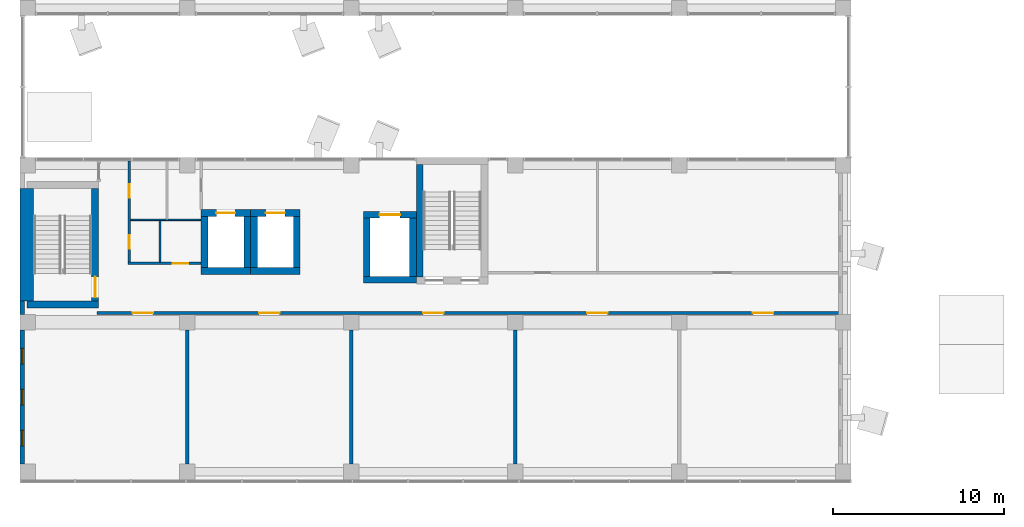
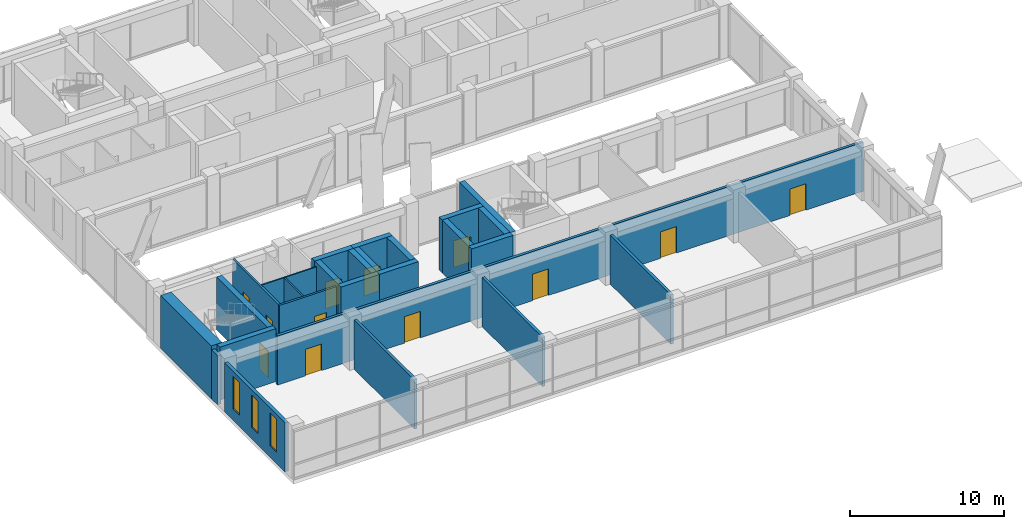
# One storey, part 26 of 36: 26 walls, 12 doors, 3 windows, 15 openings.
"""IFC4 building model written with IfcOpenShell, lengths in metres."""

from ifc_helpers import new_model, si_unit, direction, frame, frame_2d, origin, place, context, subcontext, project, spatial, rectangle, extrude, material, layer, layer_set, layer_usage, type_object, element, fill, save


model = new_model("IFC4")

# Units and contexts
model_context = context("Model", 3, precision=1e-05, world=origin(), true_north=direction((0.0, 1.0)))
body_context = subcontext(model_context, "Body", "Model", "MODEL_VIEW")
ifc_project = project(units=[si_unit("LENGTHUNIT", "METRE"), si_unit("AREAUNIT", "SQUARE_METRE"), si_unit("VOLUMEUNIT", "CUBIC_METRE"), si_unit("PLANEANGLEUNIT", "RADIAN"), si_unit("MASSUNIT", "GRAM", prefix="KILO")], contexts=[model_context])

# Site, building, storey
site_placement = place(None, origin())
site = spatial("IfcSite", under=ifc_project, at=site_placement, CompositionType="ELEMENT")
building_placement = place(site_placement, origin())
building = spatial("IfcBuilding", under=site, at=building_placement, Name="Nzadi Deep Aquarium and Research Tower", CompositionType="ELEMENT")
storey_placement = place(building_placement, frame((0.0, 0.0, 36.10009765625)))
storey = spatial("IfcBuildingStorey", under=building, at=storey_placement, Name="L06", CompositionType="ELEMENT", Elevation=36.10009765625)

# Wall
ifc_material_1 = material(Name="Concrete C35/45", Category="concrete")
ifc_layer_1 = layer(ifc_material_1, 0.14990234375, Category="cladding")
ifc_material_2 = material(Name="Mineral wool insulation")
ifc_layer_2 = layer(ifc_material_2, 0.070068359375, Category="insulation")
ifc_material_3 = material(Name="Gypsum board lining")
ifc_layer_3 = layer(ifc_material_3, 0.030029296875, Category="lining")
ifc_layer_set_1 = layer_set([ifc_layer_1, ifc_layer_2, ifc_layer_3], Name="Concrete C35/45, Mineral wool insulation, Gypsum board lining")
ifc_layer_usage_1 = layer_usage(ifc_layer_set_1, "AXIS2", "POSITIVE", -0.125)
wall_type_1 = type_object("IfcWallType", Name="End wall board-formed concrete 250", PredefinedType="ELEMENTEDWALL", material=ifc_layer_set_1)
wall_1_placement = place(storey_placement, frame((-0.074462890625, 10.449951171875, 0.0), z_axis=(0.0, 0.0, 1.0), x_axis=(0.0, -1.0, 0.0)))
element("IfcWall", 1, at=wall_1_placement, inside=storey, type_object=wall_type_1, material=ifc_layer_usage_1, Name="End wall blade A west L06", PredefinedType="ELEMENTEDWALL", context=body_context, shape_type="SweptSolid", body=[
    extrude(rectangle(XDim=0.800048828125, YDim=0.25, at=frame_2d((0.39990234375, 0.0))), origin(), (0.0, 0.0, 1.0), 3.89990234375),
])

# Wall, openings, windows
ifc_material_4 = material(Name="Graphite aluminium shingle", Category="aluminium")
ifc_layer_4 = layer(ifc_material_4, 0.050048828125, Category="cladding")
ifc_layer_5 = layer(ifc_material_1, 0.10009765625, Category="cladding")
ifc_layer_6 = layer(ifc_material_2, 0.070068359375, Category="insulation")
ifc_layer_7 = layer(ifc_material_3, 0.030029296875, Category="lining")
ifc_layer_set_2 = layer_set([ifc_layer_4, ifc_layer_5, ifc_layer_6, ifc_layer_7], Name="Graphite aluminium shingle, Concrete C35/45, Mineral wool insulation, Gypsum board lining")
ifc_layer_usage_2 = layer_usage(ifc_layer_set_2, "AXIS2", "POSITIVE", -0.125)
wall_type_2 = type_object("IfcWallType", Name="End wall shingle over board-formed concrete 250", PredefinedType="ELEMENTEDWALL", material=ifc_layer_set_2)
wall_2_placement = place(storey_placement, frame((-0.074462890625, 8.75, 0.0), z_axis=(0.0, 0.0, 1.0), x_axis=(0.0, -1.0, 0.0)))
wall_2 = element("IfcWall", 2, at=wall_2_placement, inside=storey, type_object=wall_type_2, material=ifc_layer_usage_2, Name="End wall blade A west L06", PredefinedType="ELEMENTEDWALL", context=body_context, shape_type="SweptSolid", body=[
    extrude(rectangle(XDim=7.85009765625, YDim=0.25, at=frame_2d((3.925048828125, 0.0))), origin(), (0.0, 0.0, 1.0), 3.89990234375),
])
opening_1_placement = place(wall_2_placement, frame((5.875, 0.0, 0.89990234375)))
opening_1 = element("IfcOpeningElement", 3, at=opening_1_placement, cuts=wall_2, Name="Opening WN02", PredefinedType="OPENING", context=body_context, shape_type="SweptSolid", body=[
    extrude(rectangle(XDim=0.89990234375, YDim=2.60009765625, at=frame_2d((0.449951171875, 1.300048828125))), frame((0.0, 0.135009765625, 0.0), z_axis=(0.0, -1.0, 0.0), x_axis=(1.0, 0.0, 0.0)), (0.0, 0.0, 1.0), 0.27001953125),
])
opening_2_placement = place(wall_2_placement, frame((3.47509765625, 0.0, 0.89990234375)))
opening_2 = element("IfcOpeningElement", 4, at=opening_2_placement, cuts=wall_2, Name="Opening WN02", PredefinedType="OPENING", context=body_context, shape_type="SweptSolid", body=[
    extrude(rectangle(XDim=0.89990234375, YDim=2.60009765625, at=frame_2d((0.449951171875, 1.300048828125))), frame((0.0, 0.135009765625, 0.0), z_axis=(0.0, -1.0, 0.0), x_axis=(1.0, 0.0, 0.0)), (0.0, 0.0, 1.0), 0.27001953125),
])
opening_3_placement = place(wall_2_placement, frame((1.074951171875, 0.0, 0.89990234375)))
opening_3 = element("IfcOpeningElement", 5, at=opening_3_placement, cuts=wall_2, Name="Opening WN02", PredefinedType="OPENING", context=body_context, shape_type="SweptSolid", body=[
    extrude(rectangle(XDim=0.89990234375, YDim=2.60009765625, at=frame_2d((0.449951171875, 1.300048828125))), frame((0.0, 0.135009765625, 0.0), z_axis=(0.0, -1.0, 0.0), x_axis=(1.0, 0.0, 0.0)), (0.0, 0.0, 1.0), 0.27001953125),
])
ifc_material_5 = material(Name="Aluminium window, sage tint glazing", Category="aluminium")
window_type = type_object("IfcWindowType", Name="Slot window 900x2600 sill 900", PartitioningType="SINGLE_PANEL", PredefinedType="WINDOW", material=ifc_material_5)
window_1_placement = place(opening_1_placement, origin())
window_1 = element("IfcWindow", 6, at=window_1_placement, inside=storey, type_object=window_type, Name="Slot window L06 AW", OverallHeight=2.60009765625, OverallWidth=0.89990234375, PartitioningType="SINGLE_PANEL", PredefinedType="WINDOW", context=body_context, shape_type="SweptSolid", body=[
    extrude(rectangle(XDim=0.89990234375, YDim=2.60009765625, at=frame_2d((0.449951171875, 1.300048828125))), frame((0.0, 0.030029296875, 0.0), z_axis=(0.0, -1.0, 0.0), x_axis=(1.0, 0.0, 0.0)), (0.0, 0.0, 1.0), 0.06005859375),
])
fill(opening_1, window_1)
window_2_placement = place(opening_2_placement, origin())
window_2 = element("IfcWindow", 7, at=window_2_placement, inside=storey, type_object=window_type, Name="Slot window L06 AW", OverallHeight=2.60009765625, OverallWidth=0.89990234375, PartitioningType="SINGLE_PANEL", PredefinedType="WINDOW", context=body_context, shape_type="SweptSolid", body=[
    extrude(rectangle(XDim=0.89990234375, YDim=2.60009765625, at=frame_2d((0.449951171875, 1.300048828125))), frame((0.0, 0.030029296875, 0.0), z_axis=(0.0, -1.0, 0.0), x_axis=(1.0, 0.0, 0.0)), (0.0, 0.0, 1.0), 0.06005859375),
])
fill(opening_2, window_2)
window_3_placement = place(opening_3_placement, origin())
window_3 = element("IfcWindow", 8, at=window_3_placement, inside=storey, type_object=window_type, Name="Slot window L06 AW", OverallHeight=2.60009765625, OverallWidth=0.89990234375, PartitioningType="SINGLE_PANEL", PredefinedType="WINDOW", context=body_context, shape_type="SweptSolid", body=[
    extrude(rectangle(XDim=0.89990234375, YDim=2.60009765625, at=frame_2d((0.449951171875, 1.300048828125))), frame((0.0, 0.030029296875, 0.0), z_axis=(0.0, -1.0, 0.0), x_axis=(1.0, 0.0, 0.0)), (0.0, 0.0, 1.0), 0.06005859375),
])
fill(opening_3, window_3)

# Walls
ifc_material_6 = material(Name="Blockwork masonry", Category="masonry")
ifc_layer_8 = layer(ifc_material_6, 0.10009765625)
ifc_layer_set_3 = layer_set([ifc_layer_8], Name="Blockwork masonry")
wall_type_3 = type_object("IfcWallType", Name="Partition 100 EI 30", PredefinedType="PARTITIONING", material=ifc_layer_set_3)
wall_3_placement = place(storey_placement, frame((6.27490234375, 15.199951171875, 0.0), z_axis=(0.0, 0.0, 1.0), x_axis=(1.0, 0.0, 0.0)))
element("IfcWall", 9, at=wall_3_placement, inside=storey, type_object=wall_type_3, Name="W-Z1-L06-P010", PredefinedType="PARTITIONING", context=body_context, shape_type="SweptSolid", body=[
    extrude(rectangle(XDim=4.119140625, YDim=0.10009765625, at=frame_2d((2.0595703125, 0.0))), origin(), (0.0, 0.0, 1.0), 3.89990234375),
])
wall_4_placement = place(storey_placement, frame((8.0, 12.72509765625, 0.0), z_axis=(0.0, 0.0, 1.0), x_axis=(0.0, 1.0, 0.0)))
element("IfcWall", 10, at=wall_4_placement, inside=storey, type_object=wall_type_3, Name="W-Z1-L06-P012", PredefinedType="PARTITIONING", context=body_context, shape_type="SweptSolid", body=[
    extrude(rectangle(XDim=2.4248046875, YDim=0.10009765625, at=frame_2d((1.21240234375, 0.0))), origin(), (0.0, 0.0, 1.0), 3.89990234375),
])

# Wall, opening, door
ifc_material_7 = material(Name="Blockwork masonry", Category="masonry")
ifc_layer_9 = layer(ifc_material_7, 0.14990234375)
ifc_layer_set_4 = layer_set([ifc_layer_9], Name="Blockwork masonry")
wall_type_4 = type_object("IfcWallType", Name="Partition 150 EI 60", PredefinedType="PARTITIONING", material=ifc_layer_set_4)
wall_5_placement = place(storey_placement, frame((6.125, 12.64990234375, 0.0), z_axis=(0.0, 0.0, 1.0), x_axis=(1.0, 0.0, 0.0)))
wall_5 = element("IfcWall", 11, at=wall_5_placement, inside=storey, type_object=wall_type_4, Name="W-Z1-L06-P008", PredefinedType="PARTITIONING", context=body_context, shape_type="SweptSolid", body=[
    extrude(rectangle(XDim=4.26904296875, YDim=0.14990234375, at=frame_2d((2.134521484375, 0.0))), origin(), (0.0, 0.0, 1.0), 3.89990234375),
])
opening_4_placement = place(wall_5_placement, frame((2.625, 0.0, 0.0)))
opening_4 = element("IfcOpeningElement", 12, at=opening_4_placement, cuts=wall_5, Name="Opening D071003", PredefinedType="OPENING", context=body_context, shape_type="SweptSolid", body=[
    extrude(rectangle(XDim=0.89990234375, YDim=2.10009765625, at=frame_2d((0.449951171875, 1.050048828125))), frame((0.0, 0.0849609375, 0.0), z_axis=(0.0, -1.0, 0.0), x_axis=(1.0, 0.0, 0.0)), (0.0, 0.0, 1.0), 0.169921875),
])
ifc_material_8 = material(Name="Fire-rated steel door", Category="steel")
ifc_layer_10 = layer(ifc_material_8, 0.050048828125)
ifc_layer_set_5 = layer_set([ifc_layer_10], Name="Fire-rated steel door")
door_type_1 = type_object("IfcDoorType", Name="Door 900x2100 EI 60 single", OperationType="SINGLE_SWING_LEFT", PredefinedType="DOOR", material=ifc_layer_set_5)
door_1_placement = place(opening_4_placement, origin())
door_1 = element("IfcDoor", 13, at=door_1_placement, inside=storey, type_object=door_type_1, Name="D071003", OperationType="SINGLE_SWING_RIGHT", OverallHeight=2.10009765625, OverallWidth=0.89990234375, PredefinedType="DOOR", context=body_context, shape_type="SweptSolid", body=[
    extrude(rectangle(XDim=0.89990234375, YDim=2.10009765625, at=frame_2d((0.449951171875, 1.050048828125))), frame((0.0, 0.02490234375, 0.0), z_axis=(0.0, -1.0, 0.0), x_axis=(1.0, 0.0, 0.0)), (0.0, 0.0, 1.0), 0.050048828125),
])
fill(opening_4, door_1)

# Wall, openings, doors
wall_6_placement = place(storey_placement, frame((6.199951171875, 12.72509765625, 0.0), z_axis=(0.0, 0.0, 1.0), x_axis=(0.0, 1.0, 0.0)))
wall_6 = element("IfcWall", 14, at=wall_6_placement, inside=storey, type_object=wall_type_4, Name="W-Z1-L06-P009", PredefinedType="PARTITIONING", context=body_context, shape_type="SweptSolid", body=[
    extrude(rectangle(XDim=5.9189453125, YDim=0.14990234375, at=frame_2d((2.95947265625, 0.0))), origin(), (0.0, 0.0, 1.0), 3.89990234375),
])
opening_5_placement = place(wall_6_placement, frame((0.77490234375, 0.0, 0.0)))
opening_5 = element("IfcOpeningElement", 15, at=opening_5_placement, cuts=wall_6, Name="Opening D071002", PredefinedType="OPENING", context=body_context, shape_type="SweptSolid", body=[
    extrude(rectangle(XDim=0.800048828125, YDim=2.10009765625, at=frame_2d((0.39990234375, 1.050048828125))), frame((0.0, 0.0849609375, 0.0), z_axis=(0.0, -1.0, 0.0), x_axis=(1.0, 0.0, 0.0)), (0.0, 0.0, 1.0), 0.169921875),
])
opening_6_placement = place(wall_6_placement, frame((3.77490234375, 0.0, 0.0)))
opening_6 = element("IfcOpeningElement", 16, at=opening_6_placement, cuts=wall_6, Name="Opening D071004", PredefinedType="OPENING", context=body_context, shape_type="SweptSolid", body=[
    extrude(rectangle(XDim=0.800048828125, YDim=2.10009765625, at=frame_2d((0.39990234375, 1.050048828125))), frame((0.0, 0.0849609375, 0.0), z_axis=(0.0, -1.0, 0.0), x_axis=(1.0, 0.0, 0.0)), (0.0, 0.0, 1.0), 0.169921875),
])
ifc_material_9 = material(Name="Fire-rated steel door", Category="steel")
ifc_layer_11 = layer(ifc_material_9, 0.050048828125)
ifc_layer_set_6 = layer_set([ifc_layer_11], Name="Fire-rated steel door")
door_type_2 = type_object("IfcDoorType", Name="Door 800x2100 EI 60 single", OperationType="SINGLE_SWING_LEFT", PredefinedType="DOOR", material=ifc_layer_set_6)
door_2_placement = place(opening_5_placement, origin())
door_2 = element("IfcDoor", 17, at=door_2_placement, inside=storey, type_object=door_type_2, Name="D071002", OperationType="SINGLE_SWING_LEFT", OverallHeight=2.10009765625, OverallWidth=0.800048828125, PredefinedType="DOOR", context=body_context, shape_type="SweptSolid", body=[
    extrude(rectangle(XDim=0.800048828125, YDim=2.10009765625, at=frame_2d((0.39990234375, 1.050048828125))), frame((0.0, 0.02490234375, 0.0), z_axis=(0.0, -1.0, 0.0), x_axis=(1.0, 0.0, 0.0)), (0.0, 0.0, 1.0), 0.050048828125),
])
fill(opening_5, door_2)
door_3_placement = place(opening_6_placement, origin())
door_3 = element("IfcDoor", 18, at=door_3_placement, inside=storey, type_object=door_type_2, Name="D071004", OperationType="SINGLE_SWING_LEFT", OverallHeight=2.10009765625, OverallWidth=0.800048828125, PredefinedType="DOOR", context=body_context, shape_type="SweptSolid", body=[
    extrude(rectangle(XDim=0.800048828125, YDim=2.10009765625, at=frame_2d((0.39990234375, 1.050048828125))), frame((0.0, 0.02490234375, 0.0), z_axis=(0.0, -1.0, 0.0), x_axis=(1.0, 0.0, 0.0)), (0.0, 0.0, 1.0), 0.050048828125),
])
fill(opening_6, door_3)

ifc_material_10 = material(Name="Blockwork masonry", Category="masonry")
ifc_layer_12 = layer(ifc_material_10, 0.199951171875)
ifc_layer_set_7 = layer_set([ifc_layer_12], Name="Blockwork masonry")
wall_type_5 = type_object("IfcWallType", Name="Partition 200 EI 120", PredefinedType="PARTITIONING", material=ifc_layer_set_7)
wall_7_placement = place(storey_placement, frame((4.300048828125, 9.75, 0.0), z_axis=(0.0, 0.0, 1.0), x_axis=(1.0, 0.0, 0.0)))
wall_7 = element("IfcWall", 19, at=wall_7_placement, inside=storey, type_object=wall_type_5, Name="W-Z1-L06-P005", PredefinedType="PARTITIONING", context=body_context, shape_type="SweptSolid", body=[
    extrude(rectangle(XDim=43.89404296875, YDim=0.199951171875, at=frame_2d((21.947021484375, 0.0))), origin(), (0.0, 0.0, 1.0), 3.89990234375),
])
opening_7_placement = place(wall_7_placement, frame((2.10009765625, 0.0, 0.0)))
opening_7 = element("IfcOpeningElement", 20, at=opening_7_placement, cuts=wall_7, Name="Opening D071006", PredefinedType="OPENING", context=body_context, shape_type="SweptSolid", body=[
    extrude(rectangle(XDim=1.199951171875, YDim=2.10009765625, at=frame_2d((0.60009765625, 1.050048828125))), frame((0.0, 0.110107421875, 0.0), z_axis=(0.0, -1.0, 0.0), x_axis=(1.0, 0.0, 0.0)), (0.0, 0.0, 1.0), 0.22021484375),
])
opening_8_placement = place(wall_7_placement, frame((9.5, 0.0, 0.0)))
opening_8 = element("IfcOpeningElement", 21, at=opening_8_placement, cuts=wall_7, Name="Opening D071007", PredefinedType="OPENING", context=body_context, shape_type="SweptSolid", body=[
    extrude(rectangle(XDim=1.199951171875, YDim=2.10009765625, at=frame_2d((0.60009765625, 1.050048828125))), frame((0.0, 0.110107421875, 0.0), z_axis=(0.0, -1.0, 0.0), x_axis=(1.0, 0.0, 0.0)), (0.0, 0.0, 1.0), 0.22021484375),
])
opening_9_placement = place(wall_7_placement, frame((19.10009765625, 0.0, 0.0)))
opening_9 = element("IfcOpeningElement", 22, at=opening_9_placement, cuts=wall_7, Name="Opening D071008", PredefinedType="OPENING", context=body_context, shape_type="SweptSolid", body=[
    extrude(rectangle(XDim=1.199951171875, YDim=2.10009765625, at=frame_2d((0.60009765625, 1.050048828125))), frame((0.0, 0.110107421875, 0.0), z_axis=(0.0, -1.0, 0.0), x_axis=(1.0, 0.0, 0.0)), (0.0, 0.0, 1.0), 0.22021484375),
])
opening_10_placement = place(wall_7_placement, frame((28.699951171875, 0.0, 0.0)))
opening_10 = element("IfcOpeningElement", 23, at=opening_10_placement, cuts=wall_7, Name="Opening D071009", PredefinedType="OPENING", context=body_context, shape_type="SweptSolid", body=[
    extrude(rectangle(XDim=1.199951171875, YDim=2.10009765625, at=frame_2d((0.60009765625, 1.050048828125))), frame((0.0, 0.110107421875, 0.0), z_axis=(0.0, -1.0, 0.0), x_axis=(1.0, 0.0, 0.0)), (0.0, 0.0, 1.0), 0.22021484375),
])
opening_11_placement = place(wall_7_placement, frame((38.39990234375, 0.0, 0.0)))
opening_11 = element("IfcOpeningElement", 24, at=opening_11_placement, cuts=wall_7, Name="Opening D071010", PredefinedType="OPENING", context=body_context, shape_type="SweptSolid", body=[
    extrude(rectangle(XDim=1.199951171875, YDim=2.10009765625, at=frame_2d((0.60009765625, 1.050048828125))), frame((0.0, 0.110107421875, 0.0), z_axis=(0.0, -1.0, 0.0), x_axis=(1.0, 0.0, 0.0)), (0.0, 0.0, 1.0), 0.22021484375),
])
ifc_material_11 = material(Name="Fire-rated steel door", Category="steel")
ifc_layer_13 = layer(ifc_material_11, 0.050048828125)
ifc_layer_set_8 = layer_set([ifc_layer_13], Name="Fire-rated steel door")
door_type_3 = type_object("IfcDoorType", Name="Door 1200x2100 EI 120 single", OperationType="SINGLE_SWING_LEFT", PredefinedType="DOOR", material=ifc_layer_set_8)
door_4_placement = place(opening_7_placement, origin())
door_4 = element("IfcDoor", 25, at=door_4_placement, inside=storey, type_object=door_type_3, Name="D071006", OperationType="SINGLE_SWING_RIGHT", OverallHeight=2.10009765625, OverallWidth=1.199951171875, PredefinedType="DOOR", context=body_context, shape_type="SweptSolid", body=[
    extrude(rectangle(XDim=1.199951171875, YDim=2.10009765625, at=frame_2d((0.60009765625, 1.050048828125))), frame((0.0, 0.02490234375, 0.0), z_axis=(0.0, -1.0, 0.0), x_axis=(1.0, 0.0, 0.0)), (0.0, 0.0, 1.0), 0.050048828125),
])
fill(opening_7, door_4)
door_5_placement = place(opening_8_placement, origin())
door_5 = element("IfcDoor", 26, at=door_5_placement, inside=storey, type_object=door_type_3, Name="D071007", OperationType="SINGLE_SWING_RIGHT", OverallHeight=2.10009765625, OverallWidth=1.199951171875, PredefinedType="DOOR", context=body_context, shape_type="SweptSolid", body=[
    extrude(rectangle(XDim=1.199951171875, YDim=2.10009765625, at=frame_2d((0.60009765625, 1.050048828125))), frame((0.0, 0.02490234375, 0.0), z_axis=(0.0, -1.0, 0.0), x_axis=(1.0, 0.0, 0.0)), (0.0, 0.0, 1.0), 0.050048828125),
])
fill(opening_8, door_5)
door_6_placement = place(opening_9_placement, origin())
door_6 = element("IfcDoor", 27, at=door_6_placement, inside=storey, type_object=door_type_3, Name="D071008", OperationType="SINGLE_SWING_LEFT", OverallHeight=2.10009765625, OverallWidth=1.199951171875, PredefinedType="DOOR", context=body_context, shape_type="SweptSolid", body=[
    extrude(rectangle(XDim=1.199951171875, YDim=2.10009765625, at=frame_2d((0.60009765625, 1.050048828125))), frame((0.0, 0.02490234375, 0.0), z_axis=(0.0, -1.0, 0.0), x_axis=(1.0, 0.0, 0.0)), (0.0, 0.0, 1.0), 0.050048828125),
])
fill(opening_9, door_6)
door_7_placement = place(opening_10_placement, origin())
door_7 = element("IfcDoor", 28, at=door_7_placement, inside=storey, type_object=door_type_3, Name="D071009", OperationType="SINGLE_SWING_RIGHT", OverallHeight=2.10009765625, OverallWidth=1.199951171875, PredefinedType="DOOR", context=body_context, shape_type="SweptSolid", body=[
    extrude(rectangle(XDim=1.199951171875, YDim=2.10009765625, at=frame_2d((0.60009765625, 1.050048828125))), frame((0.0, 0.02490234375, 0.0), z_axis=(0.0, -1.0, 0.0), x_axis=(1.0, 0.0, 0.0)), (0.0, 0.0, 1.0), 0.050048828125),
])
fill(opening_10, door_7)
door_8_placement = place(opening_11_placement, origin())
door_8 = element("IfcDoor", 29, at=door_8_placement, inside=storey, type_object=door_type_3, Name="D071010", OperationType="SINGLE_SWING_LEFT", OverallHeight=2.10009765625, OverallWidth=1.199951171875, PredefinedType="DOOR", context=body_context, shape_type="SweptSolid", body=[
    extrude(rectangle(XDim=1.199951171875, YDim=2.10009765625, at=frame_2d((0.60009765625, 1.050048828125))), frame((0.0, 0.02490234375, 0.0), z_axis=(0.0, -1.0, 0.0), x_axis=(1.0, 0.0, 0.0)), (0.0, 0.0, 1.0), 0.050048828125),
])
fill(opening_11, door_8)

# Walls
for number, where, z_axis, x_axis, name in (
    (30, (9.60009765625, 0.89990234375, 0.0), (0.0, 0.0, 1.0), (0.0, 1.0, 0.0), "W-Z1-L06-P017"),
    (31, (19.199951171875, 0.89990234375, 0.0), (0.0, 0.0, 1.0), (0.0, 1.0, 0.0), "W-Z1-L06-P025"),
    (32, (28.800048828125, 0.89990234375, 0.0), (0.0, 0.0, 1.0), (0.0, 1.0, 0.0), "W-Z1-L06-P037"),
):
    element("IfcWall", number, at=place(storey_placement, frame(where, z_axis=z_axis, x_axis=x_axis)), inside=storey, type_object=wall_type_5, Name=name, PredefinedType="PARTITIONING", context=body_context, shape_type="SweptSolid", body=[
        extrude(rectangle(XDim=7.85009765625, YDim=0.199951171875, at=frame_2d((3.925048828125, 0.0))), origin(), (0.0, 0.0, 1.0), 3.89990234375),
    ])
ifc_material_12 = material(Name="Concrete C35/45", Category="concrete")
ifc_layer_14 = layer(ifc_material_12, 0.39990234375)
ifc_layer_set_9 = layer_set([ifc_layer_14], Name="Concrete C35/45")
wall_type_6 = type_object("IfcWallType", Name="RC core wall 400", PredefinedType="SHEAR", material=ifc_layer_set_9)
wall_8_placement = place(storey_placement, frame((0.199951171875, 10.25, 0.0), z_axis=(0.0, 0.0, 1.0), x_axis=(1.0, 0.0, 0.0)))
element("IfcWall", 33, at=wall_8_placement, inside=storey, type_object=wall_type_6, Name="W-CORE-ST-Z1-SW-L06-S", PredefinedType="SHEAR", context=body_context, shape_type="SweptSolid", body=[
    extrude(rectangle(XDim=4.199951171875, YDim=0.39990234375, at=frame_2d((2.10009765625, 0.0))), origin(), (0.0, 0.0, 1.0), 4.199951171875),
])

# Wall, opening, door
wall_9_placement = place(storey_placement, frame((4.199951171875, 10.449951171875, 0.0), z_axis=(0.0, 0.0, 1.0), x_axis=(0.0, 1.0, 0.0)))
wall_9 = element("IfcWall", 34, at=wall_9_placement, inside=storey, type_object=wall_type_6, Name="W-CORE-ST-Z1-SW-L06-E", PredefinedType="SHEAR", context=body_context, shape_type="SweptSolid", body=[
    extrude(rectangle(XDim=6.60009765625, YDim=0.39990234375, at=frame_2d((3.300048828125, 0.0))), origin(), (0.0, 0.0, 1.0), 4.199951171875),
])
opening_12_placement = place(wall_9_placement, frame((0.2099609375, 0.0, 0.0)))
opening_12 = element("IfcOpeningElement", 35, at=opening_12_placement, cuts=wall_9, Name="Opening DS-Z1-SW-L06", PredefinedType="OPENING", context=body_context, shape_type="SweptSolid", body=[
    extrude(rectangle(XDim=1.199951171875, YDim=2.10009765625, at=frame_2d((0.60009765625, 1.050048828125))), frame((0.0, 0.2099609375, 0.0), z_axis=(0.0, -1.0, 0.0), x_axis=(1.0, 0.0, 0.0)), (0.0, 0.0, 1.0), 0.419921875),
])
ifc_material_13 = material(Name="Steel, powder coated", Category="steel")
door_type_4 = type_object("IfcDoorType", Name="STAIR DOOR 1200x2100 EI 60", OperationType="SINGLE_SWING_LEFT", PredefinedType="DOOR", material=ifc_material_13)
door_9_placement = place(opening_12_placement, origin())
door_9 = element("IfcDoor", 36, at=door_9_placement, inside=storey, type_object=door_type_4, Name="Stair door ST-Z1-SW L06", OperationType="SINGLE_SWING_RIGHT", OverallHeight=2.10009765625, OverallWidth=1.199951171875, PredefinedType="DOOR", context=body_context, shape_type="SweptSolid", body=[
    extrude(rectangle(XDim=1.199951171875, YDim=2.10009765625, at=frame_2d((0.60009765625, 1.050048828125))), frame((0.0, 0.02490234375, 0.0), z_axis=(0.0, -1.0, 0.0), x_axis=(1.0, 0.0, 0.0)), (0.0, 0.0, 1.0), 0.050048828125),
])
fill(opening_12, door_9)

# Walls
wall_10_placement = place(storey_placement, frame((23.199951171875, 11.85009765625, 0.0), z_axis=(0.0, 0.0, 1.0), x_axis=(0.0, 1.0, 0.0)))
element("IfcWall", 37, at=wall_10_placement, inside=storey, type_object=wall_type_6, Name="W-CORE-ST-Z1-SE-L06-W", PredefinedType="SHEAR", context=body_context, shape_type="SweptSolid", body=[
    extrude(rectangle(XDim=6.599853515625, YDim=0.39990234375, at=frame_2d((3.2998046875, 0.0))), origin(), (0.0, 0.0, 1.0), 4.199951171875),
])
wall_11_placement = place(storey_placement, frame((10.39990234375, 12.199951171875, 0.0), z_axis=(0.0, 0.0, 1.0), x_axis=(1.0, 0.0, 0.0)))
element("IfcWall", 38, at=wall_11_placement, inside=storey, type_object=wall_type_6, Name="W-CORE-TL1-L06-S", PredefinedType="SHEAR", context=body_context, shape_type="SweptSolid", body=[
    extrude(rectangle(XDim=2.900146484375, YDim=0.39990234375, at=frame_2d((1.4501953125, 0.0))), origin(), (0.0, 0.0, 1.0), 4.199951171875),
])

# Wall, opening, door
wall_12_placement = place(storey_placement, frame((10.39990234375, 15.60009765625, 0.0), z_axis=(0.0, 0.0, 1.0), x_axis=(1.0, 0.0, 0.0)))
wall_12 = element("IfcWall", 39, at=wall_12_placement, inside=storey, type_object=wall_type_6, Name="W-CORE-TL1-L06-N", PredefinedType="SHEAR", context=body_context, shape_type="SweptSolid", body=[
    extrude(rectangle(XDim=2.900146484375, YDim=0.39990234375, at=frame_2d((1.4501953125, 0.0))), origin(), (0.0, 0.0, 1.0), 4.199951171875),
])
opening_13_placement = place(wall_12_placement, frame((0.89990234375, 0.0, 0.0)))
opening_13 = element("IfcOpeningElement", 40, at=opening_13_placement, cuts=wall_12, Name="Opening LD-TL1-L06", PredefinedType="OPENING", context=body_context, shape_type="SweptSolid", body=[
    extrude(rectangle(XDim=1.10009765625, YDim=2.10009765625, at=frame_2d((0.550048828125, 1.050048828125))), frame((0.0, 0.2099609375, 0.0), z_axis=(0.0, -1.0, 0.0), x_axis=(1.0, 0.0, 0.0)), (0.0, 0.0, 1.0), 0.419921875),
])
ifc_material_14 = material(Name="Stainless steel 1.4301", Category="steel")
door_type_5 = type_object("IfcDoorType", Name="LANDING DOOR 1100x2100", OperationType="DOUBLE_DOOR_SLIDING", PredefinedType="DOOR", material=ifc_material_14)
door_10_placement = place(opening_13_placement, origin())
door_10 = element("IfcDoor", 41, at=door_10_placement, inside=storey, type_object=door_type_5, Name="Landing door TL1 L06", OperationType="DOUBLE_DOOR_SLIDING", OverallHeight=2.10009765625, OverallWidth=1.10009765625, PredefinedType="DOOR", context=body_context, shape_type="SweptSolid", body=[
    extrude(rectangle(XDim=1.10009765625, YDim=2.10009765625, at=frame_2d((0.550048828125, 1.050048828125))), frame((0.0, 0.02490234375, 0.0), z_axis=(0.0, -1.0, 0.0), x_axis=(1.0, 0.0, 0.0)), (0.0, 0.0, 1.0), 0.050048828125),
])
fill(opening_13, door_10)

# Walls
for number, where, z_axis, x_axis, name in (
    (42, (10.60009765625, 12.39990234375, 0.0), (0.0, 0.0, 1.0), (0.0, 1.0, 0.0), "W-CORE-TL1-L06-W"),
    (43, (13.10009765625, 12.39990234375, 0.0), (0.0, 0.0, 1.0), (0.0, 1.0, 0.0), "W-CORE-TL1-L06-E"),
):
    element("IfcWall", number, at=place(storey_placement, frame(where, z_axis=z_axis, x_axis=x_axis)), inside=storey, type_object=wall_type_6, Name=name, PredefinedType="SHEAR", context=body_context, shape_type="SweptSolid", body=[
        extrude(rectangle(XDim=3.0, YDim=0.39990234375, at=frame_2d((1.5, 0.0))), origin(), (0.0, 0.0, 1.0), 4.199951171875),
    ])
wall_13_placement = place(storey_placement, frame((13.300048828125, 12.199951171875, 0.0), z_axis=(0.0, 0.0, 1.0), x_axis=(1.0, 0.0, 0.0)))
element("IfcWall", 44, at=wall_13_placement, inside=storey, type_object=wall_type_6, Name="W-CORE-TL2-L06-S", PredefinedType="SHEAR", context=body_context, shape_type="SweptSolid", body=[
    extrude(rectangle(XDim=2.89990234375, YDim=0.39990234375, at=frame_2d((1.449951171875, 0.0))), origin(), (0.0, 0.0, 1.0), 4.199951171875),
])

# Wall, opening, door
wall_14_placement = place(storey_placement, frame((13.300048828125, 15.60009765625, 0.0), z_axis=(0.0, 0.0, 1.0), x_axis=(1.0, 0.0, 0.0)))
wall_14 = element("IfcWall", 45, at=wall_14_placement, inside=storey, type_object=wall_type_6, Name="W-CORE-TL2-L06-N", PredefinedType="SHEAR", context=body_context, shape_type="SweptSolid", body=[
    extrude(rectangle(XDim=2.89990234375, YDim=0.39990234375, at=frame_2d((1.449951171875, 0.0))), origin(), (0.0, 0.0, 1.0), 4.199951171875),
])
opening_14_placement = place(wall_14_placement, frame((0.89990234375, 0.0, 0.0)))
opening_14 = element("IfcOpeningElement", 46, at=opening_14_placement, cuts=wall_14, Name="Opening LD-TL2-L06", PredefinedType="OPENING", context=body_context, shape_type="SweptSolid", body=[
    extrude(rectangle(XDim=1.10009765625, YDim=2.10009765625, at=frame_2d((0.550048828125, 1.050048828125))), frame((0.0, 0.2099609375, 0.0), z_axis=(0.0, -1.0, 0.0), x_axis=(1.0, 0.0, 0.0)), (0.0, 0.0, 1.0), 0.419921875),
])
door_11_placement = place(opening_14_placement, origin())
door_11 = element("IfcDoor", 47, at=door_11_placement, inside=storey, type_object=door_type_5, Name="Landing door TL2 L06", OperationType="DOUBLE_DOOR_SLIDING", OverallHeight=2.10009765625, OverallWidth=1.10009765625, PredefinedType="DOOR", context=body_context, shape_type="SweptSolid", body=[
    extrude(rectangle(XDim=1.10009765625, YDim=2.10009765625, at=frame_2d((0.550048828125, 1.050048828125))), frame((0.0, 0.02490234375, 0.0), z_axis=(0.0, -1.0, 0.0), x_axis=(1.0, 0.0, 0.0)), (0.0, 0.0, 1.0), 0.050048828125),
])
fill(opening_14, door_11)

# Walls
for number, where, z_axis, x_axis, name in (
    (48, (13.5, 12.39990234375, 0.0), (0.0, 0.0, 1.0), (0.0, 1.0, 0.0), "W-CORE-TL2-L06-W"),
    (49, (16.0, 12.39990234375, 0.0), (0.0, 0.0, 1.0), (0.0, 1.0, 0.0), "W-CORE-TL2-L06-E"),
):
    element("IfcWall", number, at=place(storey_placement, frame(where, z_axis=z_axis, x_axis=x_axis)), inside=storey, type_object=wall_type_6, Name=name, PredefinedType="SHEAR", context=body_context, shape_type="SweptSolid", body=[
        extrude(rectangle(XDim=3.0, YDim=0.39990234375, at=frame_2d((1.5, 0.0))), origin(), (0.0, 0.0, 1.0), 4.199951171875),
    ])
wall_15_placement = place(storey_placement, frame((19.89990234375, 11.699951171875, 0.0), z_axis=(0.0, 0.0, 1.0), x_axis=(1.0, 0.0, 0.0)))
element("IfcWall", 50, at=wall_15_placement, inside=storey, type_object=wall_type_6, Name="W-CORE-FL1-L06-S", PredefinedType="SHEAR", context=body_context, shape_type="SweptSolid", body=[
    extrude(rectangle(XDim=3.10009765625, YDim=0.39990234375, at=frame_2d((1.550048828125, 0.0))), origin(), (0.0, 0.0, 1.0), 4.199951171875),
])

# Wall, opening, door
wall_16_placement = place(storey_placement, frame((19.89990234375, 15.5, 0.0), z_axis=(0.0, 0.0, 1.0), x_axis=(1.0, 0.0, 0.0)))
wall_16 = element("IfcWall", 51, at=wall_16_placement, inside=storey, type_object=wall_type_6, Name="W-CORE-FL1-L06-N", PredefinedType="SHEAR", context=body_context, shape_type="SweptSolid", body=[
    extrude(rectangle(XDim=3.10009765625, YDim=0.39990234375, at=frame_2d((1.550048828125, 0.0))), origin(), (0.0, 0.0, 1.0), 4.199951171875),
])
opening_15_placement = place(wall_16_placement, frame((0.949951171875, 0.0, 0.0)))
opening_15 = element("IfcOpeningElement", 52, at=opening_15_placement, cuts=wall_16, Name="Opening LD-FL1-L06", PredefinedType="OPENING", context=body_context, shape_type="SweptSolid", body=[
    extrude(rectangle(XDim=1.199951171875, YDim=2.10009765625, at=frame_2d((0.60009765625, 1.050048828125))), frame((0.0, 0.2099609375, 0.0), z_axis=(0.0, -1.0, 0.0), x_axis=(1.0, 0.0, 0.0)), (0.0, 0.0, 1.0), 0.419921875),
])
ifc_material_15 = material(Name="Stainless steel 1.4301", Category="steel")
door_type_6 = type_object("IfcDoorType", Name="LANDING DOOR 1200x2100", OperationType="DOUBLE_DOOR_SLIDING", PredefinedType="DOOR", material=ifc_material_15)
door_12_placement = place(opening_15_placement, origin())
door_12 = element("IfcDoor", 53, at=door_12_placement, inside=storey, type_object=door_type_6, Name="Landing door FL1 L06", OperationType="DOUBLE_DOOR_SLIDING", OverallHeight=2.10009765625, OverallWidth=1.199951171875, PredefinedType="DOOR", context=body_context, shape_type="SweptSolid", body=[
    extrude(rectangle(XDim=1.199951171875, YDim=2.10009765625, at=frame_2d((0.60009765625, 1.050048828125))), frame((0.0, 0.02490234375, 0.0), z_axis=(0.0, -1.0, 0.0), x_axis=(1.0, 0.0, 0.0)), (0.0, 0.0, 1.0), 0.050048828125),
])
fill(opening_15, door_12)

# Walls
for number, where, z_axis, x_axis, name in (
    (54, (20.10009765625, 11.89990234375, 0.0), (0.0, 0.0, 1.0), (0.0, 1.0, 0.0), "W-CORE-FL1-L06-W"),
    (55, (22.800048828125, 11.89990234375, 0.0), (0.0, 0.0, 1.0), (0.0, 1.0, 0.0), "W-CORE-FL1-L06-E"),
):
    element("IfcWall", number, at=place(storey_placement, frame(where, z_axis=z_axis, x_axis=x_axis)), inside=storey, type_object=wall_type_6, Name=name, PredefinedType="SHEAR", context=body_context, shape_type="SweptSolid", body=[
        extrude(rectangle(XDim=3.400146484375, YDim=0.39990234375, at=frame_2d((1.7001953125, 0.0))), origin(), (0.0, 0.0, 1.0), 4.199951171875),
    ])
ifc_material_16 = material(Name="Concrete C35/45", Category="concrete")
ifc_layer_15 = layer(ifc_material_16, 0.800048828125)
ifc_layer_set_10 = layer_set([ifc_layer_15], Name="Concrete C35/45")
wall_type_7 = type_object("IfcWallType", Name="RC core wall 800", PredefinedType="SHEAR", material=ifc_layer_set_10)
wall_17_placement = place(storey_placement, frame((0.200439453125, 10.449951171875, 0.0), z_axis=(0.0, 0.0, 1.0), x_axis=(0.0, 1.0, 0.0)))
element("IfcWall", 56, at=wall_17_placement, inside=storey, type_object=wall_type_7, Name="W-CORE-ST-Z1-SW-L06-W", PredefinedType="SHEAR", context=body_context, shape_type="SweptSolid", body=[
    extrude(rectangle(XDim=6.60009765625, YDim=0.800048828125, at=frame_2d((3.300048828125, 0.0))), origin(), (0.0, 0.0, 1.0), 4.199951171875),
])

save(model, "model.ifc")
